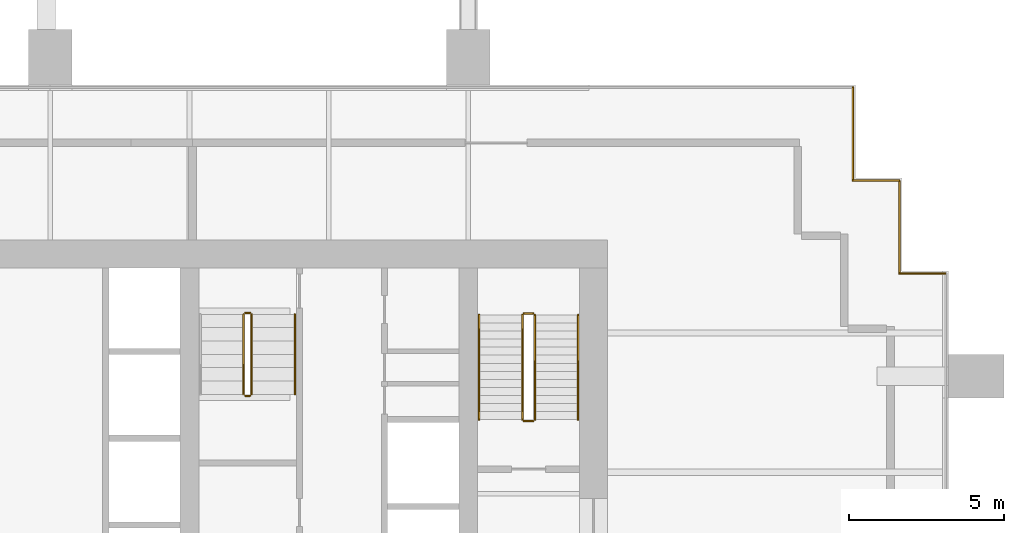
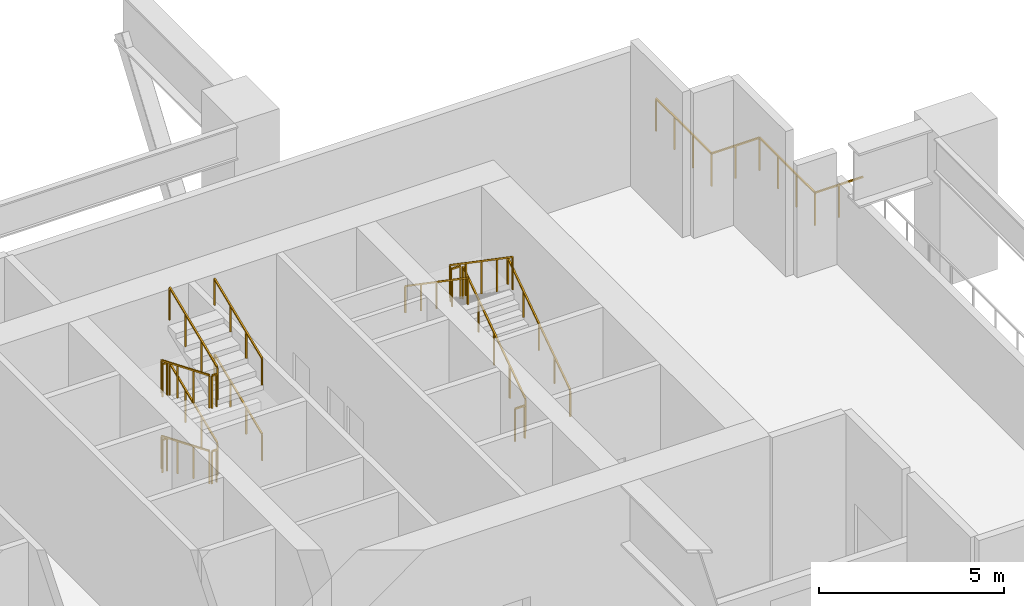
# One storey, part 9 of 9: 20 railings.
"""IFC4 building model written with IfcOpenShell, lengths in metres."""

from ifc_helpers import new_model, si_unit, direction, frame, origin, origin_2d, place, context, subcontext, project, spatial, rectangle, extrude, material, type_object, element, save


model = new_model("IFC4")

# Units and contexts
model_context = context("Model", 3, precision=1e-05, world=origin(), true_north=direction((0.0, 1.0)))
body_context = subcontext(model_context, "Body", "Model", "MODEL_VIEW")
ifc_project = project(units=[si_unit("LENGTHUNIT", "METRE"), si_unit("AREAUNIT", "SQUARE_METRE"), si_unit("VOLUMEUNIT", "CUBIC_METRE"), si_unit("PLANEANGLEUNIT", "RADIAN"), si_unit("MASSUNIT", "GRAM", prefix="KILO")], contexts=[model_context])

# Site, building, storey
site_placement = place(None, origin())
site = spatial("IfcSite", under=ifc_project, at=site_placement, CompositionType="ELEMENT")
building_placement = place(site_placement, origin())
building = spatial("IfcBuilding", under=site, at=building_placement, Name="Rattan Terrace Tower", CompositionType="ELEMENT")
storey_placement = place(building_placement, frame((0.0, 0.0, 158.10009765625)))
storey = spatial("IfcBuildingStorey", under=building, at=storey_placement, Name="L36", CompositionType="ELEMENT", Elevation=158.10009765625)

# Railings
ifc_material_1 = material(Name="Powder-coated steel guard", Category="steel")
railing_type_1 = type_object("IfcRailingType", Name="Core stair guard", PredefinedType="GUARDRAIL", material=ifc_material_1)
railing_1_placement = place(storey_placement, frame((15.64990234375, 1.699951171875, 0.178466796875)))
element("IfcRailing", 1, at=railing_1_placement, inside=storey, type_object=railing_type_1, Name="L36 S2 stair guard 1", PredefinedType="GUARDRAIL", context=body_context, shape_type="SweptSolid", body=[
    extrude(rectangle(XDim=0.048095703125, YDim=0.048095703125, at=origin_2d()), frame((0.0, 0.0, 1.076171875), z_axis=(0.0, 0.824304150675, 0.566147213346), x_axis=(-1.0, 0.0, 0.0)), (0.0, 0.0, 1.0), 4.1005859375),
    extrude(rectangle(XDim=0.0419921875, YDim=0.0419921875, at=origin_2d()), origin(), (0.0, 0.0, 1.0), 1.052001953125),
    extrude(rectangle(XDim=0.0419921875, YDim=0.0419921875, at=origin_2d()), frame((0.0, 0.844970703125, 0.580322265625)), (0.0, 0.0, 1.0), 1.052001953125),
    extrude(rectangle(XDim=0.0419921875, YDim=0.0419921875, at=origin_2d()), frame((0.0, 1.68994140625, 1.16064453125)), (0.0, 0.0, 1.0), 1.052001953125),
    extrude(rectangle(XDim=0.0419921875, YDim=0.0419921875, at=origin_2d()), frame((0.0, 2.53515625, 1.7412109375)), (0.0, 0.0, 1.0), 1.052001953125),
    extrude(rectangle(XDim=0.0419921875, YDim=0.0419921875, at=origin_2d()), frame((0.0, 3.380126953125, 2.321533203125)), (0.0, 0.0, 1.0), 1.052001953125),
])
railing_2_placement = place(storey_placement, frame((15.60009765625, 5.1298828125, 2.5)))
element("IfcRailing", 2, at=railing_2_placement, inside=storey, type_object=railing_type_1, Name="L36 S2 stair guard 2", PredefinedType="GUARDRAIL", context=body_context, shape_type="SweptSolid", body=[
    extrude(rectangle(XDim=0.048095703125, YDim=0.048095703125, at=origin_2d()), frame((0.0, 0.0, 1.076171875), z_axis=(-1.0, 0.0, 0.0), x_axis=(0.0, -1.0, 0.0)), (0.0, 0.0, 1.0), 0.300048828125),
    extrude(rectangle(XDim=0.0419921875, YDim=0.0419921875, at=origin_2d()), origin(), (0.0, 0.0, 1.0), 1.052001953125),
    extrude(rectangle(XDim=0.0419921875, YDim=0.0419921875, at=origin_2d()), frame((-0.300048828125, 0.0, 0.0)), (0.0, 0.0, 1.0), 1.052001953125),
])
railing_3_placement = place(storey_placement, frame((15.25, 5.080078125, 2.678466796875)))
element("IfcRailing", 3, at=railing_3_placement, inside=storey, type_object=railing_type_1, Name="L36 S2 stair guard 3", PredefinedType="GUARDRAIL", context=body_context, shape_type="SweptSolid", body=[
    extrude(rectangle(XDim=0.048095703125, YDim=0.048095703125, at=origin_2d()), frame((0.0, 0.0, 1.076171875), z_axis=(0.0, -0.824304150675, 0.566147213346), x_axis=(1.0, 0.0, 0.0)), (0.0, 0.0, 1.0), 4.1005859375),
    extrude(rectangle(XDim=0.0419921875, YDim=0.0419921875, at=origin_2d()), origin(), (0.0, 0.0, 1.0), 1.052001953125),
    extrude(rectangle(XDim=0.0419921875, YDim=0.0419921875, at=origin_2d()), frame((0.0, -0.844970703125, 0.580322265625)), (0.0, 0.0, 1.0), 1.052001953125),
    extrude(rectangle(XDim=0.0419921875, YDim=0.0419921875, at=origin_2d()), frame((0.0, -1.68994140625, 1.16064453125)), (0.0, 0.0, 1.0), 1.052001953125),
    extrude(rectangle(XDim=0.0419921875, YDim=0.0419921875, at=origin_2d()), frame((0.0, -2.53515625, 1.7412109375)), (0.0, 0.0, 1.0), 1.052001953125),
    extrude(rectangle(XDim=0.0419921875, YDim=0.0419921875, at=origin_2d()), frame((0.0, -3.380126953125, 2.321533203125)), (0.0, 0.0, 1.0), 1.052001953125),
])
railing_4_placement = place(storey_placement, frame((15.60009765625, 1.64990234375, 0.0)))
element("IfcRailing", 4, at=railing_4_placement, inside=storey, type_object=railing_type_1, Name="L36 S2 stair guard 4", PredefinedType="GUARDRAIL", context=body_context, shape_type="SweptSolid", body=[
    extrude(rectangle(XDim=0.048095703125, YDim=0.048095703125, at=origin_2d()), frame((0.0, 0.0, 1.076171875), z_axis=(-1.0, 0.0, 0.0), x_axis=(0.0, -1.0, 0.0)), (0.0, 0.0, 1.0), 0.300048828125),
    extrude(rectangle(XDim=0.0419921875, YDim=0.0419921875, at=origin_2d()), origin(), (0.0, 0.0, 1.0), 1.052001953125),
    extrude(rectangle(XDim=0.0419921875, YDim=0.0419921875, at=origin_2d()), frame((-0.300048828125, 0.0, 0.0)), (0.0, 0.0, 1.0), 1.052001953125),
])
railing_5_placement = place(storey_placement, frame((6.25, 5.10009765625, 0.178466796875)))
element("IfcRailing", 5, at=railing_5_placement, inside=storey, type_object=railing_type_1, Name="L36 S3 stair guard 1", PredefinedType="GUARDRAIL", context=body_context, shape_type="SweptSolid", body=[
    extrude(rectangle(XDim=0.048095703125, YDim=0.048095703125, at=origin_2d()), frame((0.0, 0.0, 1.076171875), z_axis=(0.0, -0.923521004632, 0.383547850996), x_axis=(1.0, 0.0, 0.0)), (0.0, 0.0, 1.0), 2.793701171875),
    extrude(rectangle(XDim=0.0419921875, YDim=0.0419921875, at=origin_2d()), origin(), (0.0, 0.0, 1.0), 1.052001953125),
    extrude(rectangle(XDim=0.0419921875, YDim=0.0419921875, at=origin_2d()), frame((0.0, -0.860107421875, 0.357177734375)), (0.0, 0.0, 1.0), 1.052001953125),
    extrude(rectangle(XDim=0.0419921875, YDim=0.0419921875, at=origin_2d()), frame((0.0, -1.719970703125, 0.71435546875)), (0.0, 0.0, 1.0), 1.052001953125),
    extrude(rectangle(XDim=0.0419921875, YDim=0.0419921875, at=origin_2d()), frame((0.0, -2.580078125, 1.071533203125)), (0.0, 0.0, 1.0), 1.052001953125),
])
railing_6_placement = place(storey_placement, frame((6.300048828125, 2.469970703125, 1.25)))
element("IfcRailing", 6, at=railing_6_placement, inside=storey, type_object=railing_type_1, Name="L36 S3 stair guard 2", PredefinedType="GUARDRAIL", context=body_context, shape_type="SweptSolid", body=[
    extrude(rectangle(XDim=0.048095703125, YDim=0.048095703125, at=origin_2d()), frame((0.0, 0.0, 1.076171875), z_axis=(1.0, 0.0, 0.0), x_axis=(0.0, 1.0, 0.0)), (0.0, 0.0, 1.0), 0.14990234375),
    extrude(rectangle(XDim=0.0419921875, YDim=0.0419921875, at=origin_2d()), origin(), (0.0, 0.0, 1.0), 1.052001953125),
    extrude(rectangle(XDim=0.0419921875, YDim=0.0419921875, at=origin_2d()), frame((0.14990234375, 0.0, 0.0)), (0.0, 0.0, 1.0), 1.052001953125),
])
railing_7_placement = place(storey_placement, frame((6.5, 2.52001953125, 1.428466796875)))
element("IfcRailing", 7, at=railing_7_placement, inside=storey, type_object=railing_type_1, Name="L36 S3 stair guard 3", PredefinedType="GUARDRAIL", context=body_context, shape_type="SweptSolid", body=[
    extrude(rectangle(XDim=0.048095703125, YDim=0.048095703125, at=origin_2d()), frame((0.0, 0.0, 1.076171875), z_axis=(0.0, 0.923521004632, 0.383547850996), x_axis=(-1.0, 0.0, 0.0)), (0.0, 0.0, 1.0), 2.793701171875),
    extrude(rectangle(XDim=0.0419921875, YDim=0.0419921875, at=origin_2d()), origin(), (0.0, 0.0, 1.0), 1.052001953125),
    extrude(rectangle(XDim=0.0419921875, YDim=0.0419921875, at=origin_2d()), frame((0.0, 0.860107421875, 0.357177734375)), (0.0, 0.0, 1.0), 1.052001953125),
    extrude(rectangle(XDim=0.0419921875, YDim=0.0419921875, at=origin_2d()), frame((0.0, 1.719970703125, 0.71435546875)), (0.0, 0.0, 1.0), 1.052001953125),
    extrude(rectangle(XDim=0.0419921875, YDim=0.0419921875, at=origin_2d()), frame((0.0, 2.580078125, 1.071533203125)), (0.0, 0.0, 1.0), 1.052001953125),
])
railing_8_placement = place(storey_placement, frame((6.300048828125, 5.14990234375, 2.5)))
element("IfcRailing", 8, at=railing_8_placement, inside=storey, type_object=railing_type_1, Name="L36 S3 stair guard 4", PredefinedType="GUARDRAIL", context=body_context, shape_type="SweptSolid", body=[
    extrude(rectangle(XDim=0.048095703125, YDim=0.048095703125, at=origin_2d()), frame((0.0, 0.0, 1.076171875), z_axis=(1.0, 0.0, 0.0), x_axis=(0.0, 1.0, 0.0)), (0.0, 0.0, 1.0), 0.14990234375),
    extrude(rectangle(XDim=0.0419921875, YDim=0.0419921875, at=origin_2d()), origin(), (0.0, 0.0, 1.0), 1.052001953125),
    extrude(rectangle(XDim=0.0419921875, YDim=0.0419921875, at=origin_2d()), frame((0.14990234375, 0.0, 0.0)), (0.0, 0.0, 1.0), 1.052001953125),
])
railing_9_placement = place(storey_placement, frame((6.25, 5.10009765625, 2.678466796875)))
element("IfcRailing", 9, at=railing_9_placement, inside=storey, type_object=railing_type_1, Name="L36 S3 stair guard 5", PredefinedType="GUARDRAIL", context=body_context, shape_type="SweptSolid", body=[
    extrude(rectangle(XDim=0.048095703125, YDim=0.048095703125, at=origin_2d()), frame((0.0, 0.0, 1.076171875), z_axis=(0.0, -0.923521004632, 0.383547850996), x_axis=(1.0, 0.0, 0.0)), (0.0, 0.0, 1.0), 2.793701171875),
    extrude(rectangle(XDim=0.0419921875, YDim=0.0419921875, at=origin_2d()), origin(), (0.0, 0.0, 1.0), 1.052001953125),
    extrude(rectangle(XDim=0.0419921875, YDim=0.0419921875, at=origin_2d()), frame((0.0, -0.860107421875, 0.357177734375)), (0.0, 0.0, 1.0), 1.052001953125),
    extrude(rectangle(XDim=0.0419921875, YDim=0.0419921875, at=origin_2d()), frame((0.0, -1.719970703125, 0.71435546875)), (0.0, 0.0, 1.0), 1.052001953125),
    extrude(rectangle(XDim=0.0419921875, YDim=0.0419921875, at=origin_2d()), frame((0.0, -2.580078125, 1.071533203125)), (0.0, 0.0, 1.0), 1.052001953125),
])
railing_10_placement = place(storey_placement, frame((6.300048828125, 2.469970703125, 3.75)))
element("IfcRailing", 10, at=railing_10_placement, inside=storey, type_object=railing_type_1, Name="L36 S3 stair guard 6", PredefinedType="GUARDRAIL", context=body_context, shape_type="SweptSolid", body=[
    extrude(rectangle(XDim=0.048095703125, YDim=0.048095703125, at=origin_2d()), frame((0.0, 0.0, 1.076171875), z_axis=(1.0, 0.0, 0.0), x_axis=(0.0, 1.0, 0.0)), (0.0, 0.0, 1.0), 0.14990234375),
    extrude(rectangle(XDim=0.0419921875, YDim=0.0419921875, at=origin_2d()), origin(), (0.0, 0.0, 1.0), 1.052001953125),
    extrude(rectangle(XDim=0.0419921875, YDim=0.0419921875, at=origin_2d()), frame((0.14990234375, 0.0, 0.0)), (0.0, 0.0, 1.0), 1.052001953125),
])
railing_11_placement = place(storey_placement, frame((6.5, 2.52001953125, 3.928466796875)))
element("IfcRailing", 11, at=railing_11_placement, inside=storey, type_object=railing_type_1, Name="L36 S3 stair guard 7", PredefinedType="GUARDRAIL", context=body_context, shape_type="SweptSolid", body=[
    extrude(rectangle(XDim=0.048095703125, YDim=0.048095703125, at=origin_2d()), frame((0.0, 0.0, 1.076171875), z_axis=(0.0, 0.923521004632, 0.383547850996), x_axis=(-1.0, 0.0, 0.0)), (0.0, 0.0, 1.0), 2.793701171875),
    extrude(rectangle(XDim=0.0419921875, YDim=0.0419921875, at=origin_2d()), origin(), (0.0, 0.0, 1.0), 1.052001953125),
    extrude(rectangle(XDim=0.0419921875, YDim=0.0419921875, at=origin_2d()), frame((0.0, 0.860107421875, 0.357177734375)), (0.0, 0.0, 1.0), 1.052001953125),
    extrude(rectangle(XDim=0.0419921875, YDim=0.0419921875, at=origin_2d()), frame((0.0, 1.719970703125, 0.71435546875)), (0.0, 0.0, 1.0), 1.052001953125),
    extrude(rectangle(XDim=0.0419921875, YDim=0.0419921875, at=origin_2d()), frame((0.0, 2.580078125, 1.071533203125)), (0.0, 0.0, 1.0), 1.052001953125),
])
railing_12_placement = place(storey_placement, frame((6.300048828125, 5.14990234375, 0.0)))
element("IfcRailing", 12, at=railing_12_placement, inside=storey, type_object=railing_type_1, Name="L36 S3 stair guard 8", PredefinedType="GUARDRAIL", context=body_context, shape_type="SweptSolid", body=[
    extrude(rectangle(XDim=0.048095703125, YDim=0.048095703125, at=origin_2d()), frame((0.0, 0.0, 1.076171875), z_axis=(1.0, 0.0, 0.0), x_axis=(0.0, 1.0, 0.0)), (0.0, 0.0, 1.0), 0.14990234375),
    extrude(rectangle(XDim=0.0419921875, YDim=0.0419921875, at=origin_2d()), origin(), (0.0, 0.0, 1.0), 1.052001953125),
    extrude(rectangle(XDim=0.0419921875, YDim=0.0419921875, at=origin_2d()), frame((0.14990234375, 0.0, 0.0)), (0.0, 0.0, 1.0), 1.052001953125),
])
ifc_material_2 = material(Name="Powder-coated steel handrail", Category="steel")
railing_type_2 = type_object("IfcRailingType", Name="Core stair handrail", PredefinedType="HANDRAIL", material=ifc_material_2)
railing_13_placement = place(storey_placement, frame((17.050048828125, 1.699951171875, 0.178466796875)))
element("IfcRailing", 13, at=railing_13_placement, inside=storey, type_object=railing_type_2, Name="L36 S2 stair handrail 1", PredefinedType="HANDRAIL", context=body_context, shape_type="SweptSolid", body=[
    extrude(rectangle(XDim=0.048095703125, YDim=0.048095703125, at=origin_2d()), frame((0.0, 0.0, 0.8759765625), z_axis=(0.0, 0.824304150675, 0.566147213346), x_axis=(-1.0, 0.0, 0.0)), (0.0, 0.0, 1.0), 4.1005859375),
    extrude(rectangle(XDim=0.0419921875, YDim=0.0419921875, at=origin_2d()), origin(), (0.0, 0.0, 1.0), 0.851806640625),
    extrude(rectangle(XDim=0.0419921875, YDim=0.0419921875, at=origin_2d()), frame((0.0, 0.844970703125, 0.580322265625)), (0.0, 0.0, 1.0), 0.851806640625),
    extrude(rectangle(XDim=0.0419921875, YDim=0.0419921875, at=origin_2d()), frame((0.0, 1.68994140625, 1.16064453125)), (0.0, 0.0, 1.0), 0.851806640625),
    extrude(rectangle(XDim=0.0419921875, YDim=0.0419921875, at=origin_2d()), frame((0.0, 2.53515625, 1.7412109375)), (0.0, 0.0, 1.0), 0.851806640625),
    extrude(rectangle(XDim=0.0419921875, YDim=0.0419921875, at=origin_2d()), frame((0.0, 3.380126953125, 2.321533203125)), (0.0, 0.0, 1.0), 0.851806640625),
])
railing_14_placement = place(storey_placement, frame((13.85009765625, 5.080078125, 2.678466796875)))
element("IfcRailing", 14, at=railing_14_placement, inside=storey, type_object=railing_type_2, Name="L36 S2 stair handrail 2", PredefinedType="HANDRAIL", context=body_context, shape_type="SweptSolid", body=[
    extrude(rectangle(XDim=0.048095703125, YDim=0.048095703125, at=origin_2d()), frame((0.0, 0.0, 0.8759765625), z_axis=(0.0, -0.824304150675, 0.566147213346), x_axis=(1.0, 0.0, 0.0)), (0.0, 0.0, 1.0), 4.1005859375),
    extrude(rectangle(XDim=0.0419921875, YDim=0.0419921875, at=origin_2d()), origin(), (0.0, 0.0, 1.0), 0.851806640625),
    extrude(rectangle(XDim=0.0419921875, YDim=0.0419921875, at=origin_2d()), frame((0.0, -0.844970703125, 0.580322265625)), (0.0, 0.0, 1.0), 0.851806640625),
    extrude(rectangle(XDim=0.0419921875, YDim=0.0419921875, at=origin_2d()), frame((0.0, -1.68994140625, 1.16064453125)), (0.0, 0.0, 1.0), 0.851806640625),
    extrude(rectangle(XDim=0.0419921875, YDim=0.0419921875, at=origin_2d()), frame((0.0, -2.53515625, 1.7412109375)), (0.0, 0.0, 1.0), 0.851806640625),
    extrude(rectangle(XDim=0.0419921875, YDim=0.0419921875, at=origin_2d()), frame((0.0, -3.380126953125, 2.321533203125)), (0.0, 0.0, 1.0), 0.851806640625),
])
for number, where, name in (
    (15, (7.89990234375, 2.52001953125, 1.428466796875), "L36 S3 stair handrail 2"),
    (16, (7.89990234375, 2.52001953125, 3.928466796875), "L36 S3 stair handrail 4"),
):
    element("IfcRailing", number, at=place(storey_placement, frame(where)), inside=storey, type_object=railing_type_2, Name=name, PredefinedType="HANDRAIL", context=body_context, shape_type="SweptSolid", body=[
        extrude(rectangle(XDim=0.048095703125, YDim=0.048095703125, at=origin_2d()), frame((0.0, 0.0, 0.8759765625), z_axis=(0.0, 0.923521004632, 0.383547850996), x_axis=(-1.0, 0.0, 0.0)), (0.0, 0.0, 1.0), 2.793701171875),
        extrude(rectangle(XDim=0.0419921875, YDim=0.0419921875, at=origin_2d()), origin(), (0.0, 0.0, 1.0), 0.851806640625),
        extrude(rectangle(XDim=0.0419921875, YDim=0.0419921875, at=origin_2d()), frame((0.0, 0.860107421875, 0.357177734375)), (0.0, 0.0, 1.0), 0.851806640625),
        extrude(rectangle(XDim=0.0419921875, YDim=0.0419921875, at=origin_2d()), frame((0.0, 1.719970703125, 0.71435546875)), (0.0, 0.0, 1.0), 0.851806640625),
        extrude(rectangle(XDim=0.0419921875, YDim=0.0419921875, at=origin_2d()), frame((0.0, 2.580078125, 1.071533203125)), (0.0, 0.0, 1.0), 0.851806640625),
    ])
ifc_material_3 = material(Name="Stainless steel 316", Category="steel")
railing_type_3 = type_object("IfcRailingType", Name="Facade Guard 1100", PredefinedType="GUARDRAIL", material=ifc_material_3)
railing_15_placement = place(storey_placement, frame((25.919921875, 12.419921875, 0.0)))
element("IfcRailing", 17, at=railing_15_placement, inside=storey, type_object=railing_type_3, Name="Guard L36-12", PredefinedType="GUARDRAIL", context=body_context, shape_type="SweptSolid", body=[
    extrude(rectangle(XDim=0.048095703125, YDim=0.048095703125, at=origin_2d()), frame((0.0, 0.0, 1.076171875), z_axis=(0.0, -1.0, 0.0), x_axis=(1.0, 0.0, 0.0)), (0.0, 0.0, 1.0), 3.0),
    extrude(rectangle(XDim=0.0419921875, YDim=0.0419921875, at=origin_2d()), origin(), (0.0, 0.0, 1.0), 1.052001953125),
    extrude(rectangle(XDim=0.0419921875, YDim=0.0419921875, at=origin_2d()), frame((0.0, -1.0, 0.0)), (0.0, 0.0, 1.0), 1.052001953125),
    extrude(rectangle(XDim=0.0419921875, YDim=0.0419921875, at=origin_2d()), frame((0.0, -2.0, 0.0)), (0.0, 0.0, 1.0), 1.052001953125),
])
railing_16_placement = place(storey_placement, frame((25.919921875, 9.419921875, 0.0)))
element("IfcRailing", 18, at=railing_16_placement, inside=storey, type_object=railing_type_3, Name="Guard L36-13", PredefinedType="GUARDRAIL", context=body_context, shape_type="SweptSolid", body=[
    extrude(rectangle(XDim=0.048095703125, YDim=0.048095703125, at=origin_2d()), frame((0.0, 0.0, 1.076171875), z_axis=(1.0, 0.0, 0.0), x_axis=(0.0, 1.0, 0.0)), (0.0, 0.0, 1.0), 1.5),
    extrude(rectangle(XDim=0.0419921875, YDim=0.0419921875, at=origin_2d()), origin(), (0.0, 0.0, 1.0), 1.052001953125),
    extrude(rectangle(XDim=0.0419921875, YDim=0.0419921875, at=origin_2d()), frame((0.75, 0.0, 0.0)), (0.0, 0.0, 1.0), 1.052001953125),
])
railing_17_placement = place(storey_placement, frame((27.419921875, 9.419921875, 0.0)))
element("IfcRailing", 19, at=railing_17_placement, inside=storey, type_object=railing_type_3, Name="Guard L36-14", PredefinedType="GUARDRAIL", context=body_context, shape_type="SweptSolid", body=[
    extrude(rectangle(XDim=0.048095703125, YDim=0.048095703125, at=origin_2d()), frame((0.0, 0.0, 1.076171875), z_axis=(0.0, -1.0, 0.0), x_axis=(1.0, 0.0, 0.0)), (0.0, 0.0, 1.0), 3.0),
    extrude(rectangle(XDim=0.0419921875, YDim=0.0419921875, at=origin_2d()), origin(), (0.0, 0.0, 1.0), 1.052001953125),
    extrude(rectangle(XDim=0.0419921875, YDim=0.0419921875, at=origin_2d()), frame((0.0, -1.0, 0.0)), (0.0, 0.0, 1.0), 1.052001953125),
    extrude(rectangle(XDim=0.0419921875, YDim=0.0419921875, at=origin_2d()), frame((0.0, -2.0, 0.0)), (0.0, 0.0, 1.0), 1.052001953125),
])
railing_18_placement = place(storey_placement, frame((27.419921875, 6.419921875, 0.0)))
element("IfcRailing", 20, at=railing_18_placement, inside=storey, type_object=railing_type_3, Name="Guard L36-15", PredefinedType="GUARDRAIL", context=body_context, shape_type="SweptSolid", body=[
    extrude(rectangle(XDim=0.048095703125, YDim=0.048095703125, at=origin_2d()), frame((0.0, 0.0, 1.076171875), z_axis=(1.0, 0.0, 0.0), x_axis=(0.0, 1.0, 0.0)), (0.0, 0.0, 1.0), 1.5),
    extrude(rectangle(XDim=0.0419921875, YDim=0.0419921875, at=origin_2d()), origin(), (0.0, 0.0, 1.0), 1.052001953125),
    extrude(rectangle(XDim=0.0419921875, YDim=0.0419921875, at=origin_2d()), frame((0.75, 0.0, 0.0)), (0.0, 0.0, 1.0), 1.052001953125),
])

save(model, "model.ifc")
